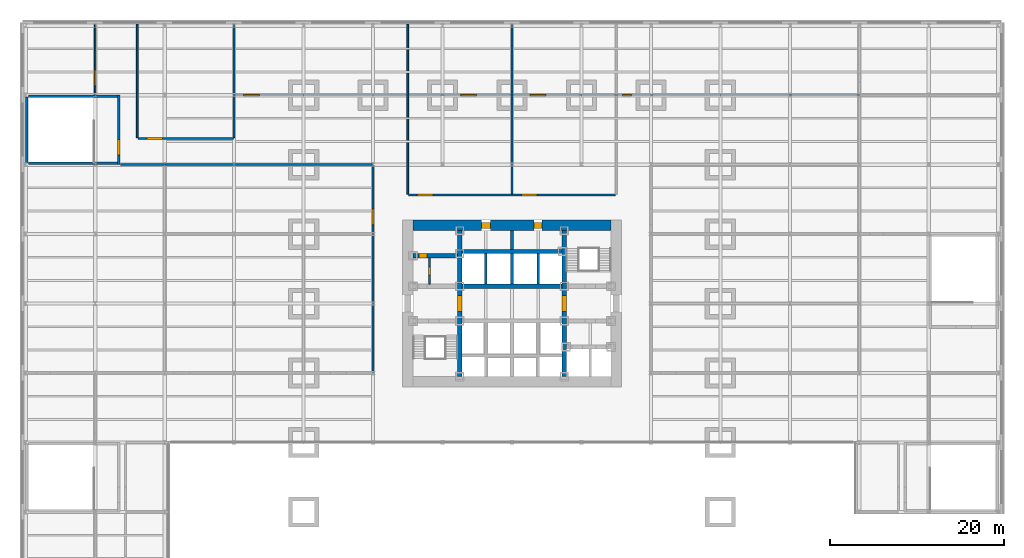
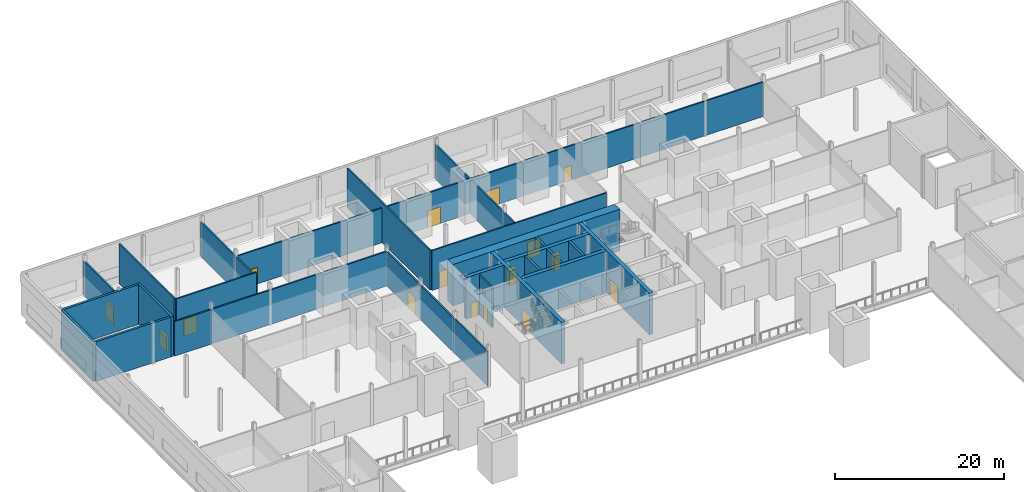
# One storey, part 15 of 21: 26 walls, 16 doors, 16 openings.
"""IFC4 building model written with IfcOpenShell, lengths in metres."""

from ifc_helpers import new_model, si_unit, direction, frame, frame_2d, origin, place, context, subcontext, project, spatial, rectangle, extrude, material, layer, layer_set, type_object, element, fill, save


model = new_model("IFC4")

# Units and contexts
model_context = context("Model", 3, precision=1e-05, world=origin(), true_north=direction((0.0, 1.0)))
body_context = subcontext(model_context, "Body", "Model", "MODEL_VIEW")
ifc_project = project(units=[si_unit("LENGTHUNIT", "METRE"), si_unit("AREAUNIT", "SQUARE_METRE"), si_unit("VOLUMEUNIT", "CUBIC_METRE"), si_unit("PLANEANGLEUNIT", "RADIAN"), si_unit("MASSUNIT", "GRAM", prefix="KILO")], contexts=[model_context])

# Site, building, storey
site_placement = place(None, origin())
site = spatial("IfcSite", under=ifc_project, at=site_placement, CompositionType="ELEMENT")
building_placement = place(site_placement, origin())
building = spatial("IfcBuilding", under=site, at=building_placement, Name="Daluyong Arena Tower", CompositionType="ELEMENT")
storey_placement = place(building_placement, frame((0.0, 0.0, 19.89990234375)))
storey = spatial("IfcBuildingStorey", under=building, at=storey_placement, Name="L04", CompositionType="ELEMENT", Elevation=19.89990234375)

# Wall, opening, door
ifc_material_1 = material(Name="Concrete fc' 45 MPa", Category="concrete")
ifc_layer_1 = layer(ifc_material_1, 0.5)
ifc_layer_set_1 = layer_set([ifc_layer_1], Name="Concrete fc' 45 MPa")
wall_type_1 = type_object("IfcWallType", Name="Core inner wall 500", PredefinedType="SHEAR", material=ifc_layer_set_1)
wall_1_placement = place(storey_placement, frame((50.0, 71.60009765625, 0.0), z_axis=(0.0, 0.0, 1.0), x_axis=(0.0, 1.0, 0.0)))
wall_1 = element("IfcWall", 1, at=wall_1_placement, inside=storey, type_object=wall_type_1, Name="core inner wall at L04", PredefinedType="SHEAR", context=body_context, shape_type="SweptSolid", body=[
    extrude(rectangle(XDim=16.7998046875, YDim=0.5, at=frame_2d((8.39990234375, 0.0))), origin(), (0.0, 0.0, 1.0), 6.0),
])
opening_1_placement = place(wall_1_placement, frame((7.5, 0.0, 0.0)))
opening_1 = element("IfcOpeningElement", 2, at=opening_1_placement, cuts=wall_1, Name="Opening 04010", PredefinedType="OPENING", context=body_context, shape_type="SweptSolid", body=[
    extrude(rectangle(XDim=1.800048828125, YDim=2.39990234375, at=frame_2d((0.89990234375, 1.199951171875))), frame((0.0, 0.260009765625, 0.0), z_axis=(0.0, -1.0, 0.0), x_axis=(1.0, 0.0, 0.0)), (0.0, 0.0, 1.0), 0.52001953125),
])
ifc_material_2 = material(Name="Steel door, fire rated", Category="steel")
door_type_1 = type_object("IfcDoorType", Name="Lift lobby opening door 1800", OperationType="DOUBLE_DOOR_SINGLE_SWING", PredefinedType="DOOR", material=ifc_material_2)
door_1_placement = place(opening_1_placement, origin())
door_1 = element("IfcDoor", 3, at=door_1_placement, inside=storey, type_object=door_type_1, Name="lift lobby door west 04010", OperationType="DOUBLE_DOOR_SINGLE_SWING", OverallHeight=2.39990234375, OverallWidth=1.800048828125, PredefinedType="DOOR", context=body_context, shape_type="SweptSolid", body=[
    extrude(rectangle(XDim=1.800048828125, YDim=2.39990234375, at=frame_2d((0.89990234375, 1.199951171875))), frame((0.0, 0.249755859375, 0.0), z_axis=(0.0, -1.0, 0.0), x_axis=(1.0, 0.0, 0.0)), (0.0, 0.0, 1.0), 0.49951171875),
])
fill(opening_1, door_1)

wall_2_placement = place(storey_placement, frame((62.0, 71.60009765625, 0.0), z_axis=(0.0, 0.0, 1.0), x_axis=(0.0, 1.0, 0.0)))
wall_2 = element("IfcWall", 4, at=wall_2_placement, inside=storey, type_object=wall_type_1, Name="core inner wall at L04", PredefinedType="SHEAR", context=body_context, shape_type="SweptSolid", body=[
    extrude(rectangle(XDim=16.7998046875, YDim=0.5, at=frame_2d((8.39990234375, 0.0))), origin(), (0.0, 0.0, 1.0), 6.0),
])
opening_2_placement = place(wall_2_placement, frame((7.5, 0.0, 0.0)))
opening_2 = element("IfcOpeningElement", 5, at=opening_2_placement, cuts=wall_2, Name="Opening 04011", PredefinedType="OPENING", context=body_context, shape_type="SweptSolid", body=[
    extrude(rectangle(XDim=1.800048828125, YDim=2.39990234375, at=frame_2d((0.89990234375, 1.199951171875))), frame((0.0, 0.260009765625, 0.0), z_axis=(0.0, -1.0, 0.0), x_axis=(1.0, 0.0, 0.0)), (0.0, 0.0, 1.0), 0.52001953125),
])
door_2_placement = place(opening_2_placement, origin())
door_2 = element("IfcDoor", 6, at=door_2_placement, inside=storey, type_object=door_type_1, Name="lift lobby door east 04011", OperationType="DOUBLE_DOOR_SINGLE_SWING", OverallHeight=2.39990234375, OverallWidth=1.800048828125, PredefinedType="DOOR", context=body_context, shape_type="SweptSolid", body=[
    extrude(rectangle(XDim=1.800048828125, YDim=2.39990234375, at=frame_2d((0.89990234375, 1.199951171875))), frame((0.0, 0.249755859375, 0.0), z_axis=(0.0, -1.0, 0.0), x_axis=(1.0, 0.0, 0.0)), (0.0, 0.0, 1.0), 0.49951171875),
])
fill(opening_2, door_2)

wall_3_placement = place(storey_placement, frame((44.60009765625, 85.5, 0.0), z_axis=(0.0, 0.0, 1.0), x_axis=(1.0, 0.0, 0.0)))
wall_3 = element("IfcWall", 7, at=wall_3_placement, inside=storey, type_object=wall_type_1, Name="core inner wall at L04", PredefinedType="SHEAR", context=body_context, shape_type="SweptSolid", body=[
    extrude(rectangle(XDim=5.14990234375, YDim=0.5, at=frame_2d((2.574951171875, 0.0))), origin(), (0.0, 0.0, 1.0), 6.0),
])
opening_3_placement = place(wall_3_placement, frame((0.699951171875, 0.0, 0.0)))
opening_3 = element("IfcOpeningElement", 8, at=opening_3_placement, cuts=wall_3, Name="Opening 04003", PredefinedType="OPENING", context=body_context, shape_type="SweptSolid", body=[
    extrude(rectangle(XDim=0.89990234375, YDim=2.10009765625, at=frame_2d((0.449951171875, 1.050048828125))), frame((0.0, 0.260009765625, 0.0), z_axis=(0.0, -1.0, 0.0), x_axis=(1.0, 0.0, 0.0)), (0.0, 0.0, 1.0), 0.52001953125),
])
ifc_material_3 = material(Name="Timber door", Category="wood")
door_type_2 = type_object("IfcDoorType", Name="Toilet door 900", OperationType="SINGLE_SWING_RIGHT", PredefinedType="DOOR", material=ifc_material_3)
door_3_placement = place(opening_3_placement, origin())
door_3 = element("IfcDoor", 9, at=door_3_placement, inside=storey, type_object=door_type_2, Name="female toilet door 04003", OperationType="SINGLE_SWING_RIGHT", OverallHeight=2.10009765625, OverallWidth=0.89990234375, PredefinedType="DOOR", context=body_context, shape_type="SweptSolid", body=[
    extrude(rectangle(XDim=0.89990234375, YDim=2.10009765625, at=frame_2d((0.449951171875, 1.050048828125))), frame((0.0, 0.249755859375, 0.0), z_axis=(0.0, -1.0, 0.0), x_axis=(1.0, 0.0, 0.0)), (0.0, 0.0, 1.0), 0.49951171875),
])
fill(opening_3, door_3)

# Walls
for number, where, z_axis, x_axis, name in (
    (10, (50.25, 82.0, 0.0), (0.0, 0.0, 1.0), (1.0, 0.0, 0.0), "core inner wall at L04"),
    (11, (50.25, 86.0, 0.0), (0.0, 0.0, 1.0), (1.0, 0.0, 0.0), "core inner wall at L04"),
):
    element("IfcWall", number, at=place(storey_placement, frame(where, z_axis=z_axis, x_axis=x_axis)), inside=storey, type_object=wall_type_1, Name=name, PredefinedType="SHEAR", context=body_context, shape_type="SweptSolid", body=[
        extrude(rectangle(XDim=11.5, YDim=0.5, at=frame_2d((5.75, 0.0))), origin(), (0.0, 0.0, 1.0), 6.0),
    ])

# Wall, openings, doors
ifc_material_4 = material(Name="Concrete fc' 60 MPa", Category="concrete")
ifc_layer_2 = layer(ifc_material_4, 1.199951171875)
ifc_layer_set_2 = layer_set([ifc_layer_2], Name="Concrete fc' 60 MPa")
wall_type_2 = type_object("IfcWallType", Name="Core wall 1200", PredefinedType="SHEAR", material=ifc_layer_set_2)
wall_4_placement = place(storey_placement, frame((44.60009765625, 89.0, 0.0), z_axis=(0.0, 0.0, 1.0), x_axis=(1.0, 0.0, 0.0)))
wall_4 = element("IfcWall", 12, at=wall_4_placement, inside=storey, type_object=wall_type_2, Name="core wall at L04", PredefinedType="SHEAR", context=body_context, shape_type="SweptSolid", body=[
    extrude(rectangle(XDim=22.7998046875, YDim=1.199951171875, at=frame_2d((11.39990234375, 0.0))), origin(), (0.0, 0.0, 1.0), 6.0),
])
opening_4_placement = place(wall_4_placement, frame((7.89990234375, 0.0, 0.0)))
opening_4 = element("IfcOpeningElement", 13, at=opening_4_placement, cuts=wall_4, Name="Opening 04004", PredefinedType="OPENING", context=body_context, shape_type="SweptSolid", body=[
    extrude(rectangle(XDim=1.0, YDim=2.10009765625, at=frame_2d((0.5, 1.050048828125))), frame((0.0, 0.60986328125, 0.0), z_axis=(0.0, -1.0, 0.0), x_axis=(1.0, 0.0, 0.0)), (0.0, 0.0, 1.0), 1.219970703125),
])
opening_5_placement = place(wall_4_placement, frame((13.949951171875, 0.0, 0.0)))
opening_5 = element("IfcOpeningElement", 14, at=opening_5_placement, cuts=wall_4, Name="Opening 04005", PredefinedType="OPENING", context=body_context, shape_type="SweptSolid", body=[
    extrude(rectangle(XDim=0.89990234375, YDim=2.10009765625, at=frame_2d((0.449951171875, 1.050048828125))), frame((0.0, 0.60986328125, 0.0), z_axis=(0.0, -1.0, 0.0), x_axis=(1.0, 0.0, 0.0)), (0.0, 0.0, 1.0), 1.219970703125),
])
ifc_material_5 = material(Name="Timber door", Category="wood")
door_type_3 = type_object("IfcDoorType", Name="Accessible toilet door 1000", OperationType="SINGLE_SWING_LEFT", PredefinedType="DOOR", material=ifc_material_5)
door_4_placement = place(opening_4_placement, origin())
door_4 = element("IfcDoor", 15, at=door_4_placement, inside=storey, type_object=door_type_3, Name="accessible toilet door 04004", OperationType="SINGLE_SWING_LEFT", OverallHeight=2.10009765625, OverallWidth=1.0, PredefinedType="DOOR", context=body_context, shape_type="SweptSolid", body=[
    extrude(rectangle(XDim=1.0, YDim=2.10009765625, at=frame_2d((0.5, 1.050048828125))), frame((0.0, 0.35009765625, 0.0), z_axis=(0.0, -1.0, 0.0), x_axis=(1.0, 0.0, 0.0)), (0.0, 0.0, 1.0), 0.699951171875),
])
fill(opening_4, door_4)
ifc_material_6 = material(Name="Steel door, fire rated", Category="steel")
door_type_4 = type_object("IfcDoorType", Name="Riser door 900", OperationType="SINGLE_SWING_LEFT", PredefinedType="DOOR", material=ifc_material_6)
door_5_placement = place(opening_5_placement, origin())
door_5 = element("IfcDoor", 16, at=door_5_placement, inside=storey, type_object=door_type_4, Name="riser door 04005", OperationType="SINGLE_SWING_LEFT", OverallHeight=2.10009765625, OverallWidth=0.89990234375, PredefinedType="DOOR", context=body_context, shape_type="SweptSolid", body=[
    extrude(rectangle(XDim=0.89990234375, YDim=2.10009765625, at=frame_2d((0.449951171875, 1.050048828125))), frame((0.0, 0.35009765625, 0.0), z_axis=(0.0, -1.0, 0.0), x_axis=(1.0, 0.0, 0.0)), (0.0, 0.0, 1.0), 0.699951171875),
])
fill(opening_5, door_5)

# Wall, opening, door
ifc_material_7 = material(Name="Concrete block partition, fire rated", Category="concrete")
ifc_layer_3 = layer(ifc_material_7, 0.199951171875)
ifc_layer_set_3 = layer_set([ifc_layer_3], Name="Concrete block partition, fire rated")
wall_type_3 = type_object("IfcWallType", Name="Fire-rated partition 200", PredefinedType="PARTITIONING", material=ifc_layer_set_3)
wall_5_placement = place(storey_placement, frame((46.5, 82.25, 0.0), z_axis=(0.0, 0.0, 1.0), x_axis=(0.0, 1.0, 0.0)))
wall_5 = element("IfcWall", 17, at=wall_5_placement, inside=storey, type_object=wall_type_3, Name="toilet lobby partition at L04", PredefinedType="PARTITIONING", context=body_context, shape_type="SweptSolid", body=[
    extrude(rectangle(XDim=3.0, YDim=0.199951171875, at=frame_2d((1.5, 0.0))), origin(), (0.0, 0.0, 1.0), 5.75),
])
opening_6_placement = place(wall_5_placement, frame((1.050048828125, 0.0, 0.0)))
opening_6 = element("IfcOpeningElement", 18, at=opening_6_placement, cuts=wall_5, Name="Opening 04002", PredefinedType="OPENING", context=body_context, shape_type="SweptSolid", body=[
    extrude(rectangle(XDim=0.89990234375, YDim=2.10009765625, at=frame_2d((0.449951171875, 1.050048828125))), frame((0.0, 0.10986328125, 0.0), z_axis=(0.0, -1.0, 0.0), x_axis=(1.0, 0.0, 0.0)), (0.0, 0.0, 1.0), 0.219970703125),
])
door_6_placement = place(opening_6_placement, origin())
door_6 = element("IfcDoor", 19, at=door_6_placement, inside=storey, type_object=door_type_2, Name="male toilet door 04002", OperationType="SINGLE_SWING_RIGHT", OverallHeight=2.10009765625, OverallWidth=0.89990234375, PredefinedType="DOOR", context=body_context, shape_type="SweptSolid", body=[
    extrude(rectangle(XDim=0.89990234375, YDim=2.10009765625, at=frame_2d((0.449951171875, 1.050048828125))), frame((0.0, 0.099609375, 0.0), z_axis=(0.0, -1.0, 0.0), x_axis=(1.0, 0.0, 0.0)), (0.0, 0.0, 1.0), 0.199462890625),
])
fill(opening_6, door_6)

# Walls
wall_6_placement = place(storey_placement, frame((10.949951171875, 96.0, 0.0), z_axis=(0.0, 0.0, 1.0), x_axis=(1.0, 0.0, 0.0)))
element("IfcWall", 20, at=wall_6_placement, inside=storey, type_object=wall_type_3, Name="fire-rated partition at L04", PredefinedType="PARTITIONING", context=body_context, shape_type="SweptSolid", body=[
    extrude(rectangle(XDim=5.050048828125, YDim=0.199951171875, at=frame_2d((2.52490234375, 0.0))), origin(), (0.0, 0.0, 1.0), 4.977783203125),
])
ifc_material_8 = material(Name="Concrete fc' 45 MPa", Category="concrete")
ifc_layer_4 = layer(ifc_material_8, 0.300048828125)
ifc_layer_set_4 = layer_set([ifc_layer_4], Name="Concrete fc' 45 MPa")
wall_type_4 = type_object("IfcWallType", Name="Lift shaft wall 300", PredefinedType="SHEAR", material=ifc_layer_set_4)
for number, where, z_axis, x_axis, name in (
    (21, (53.0, 82.25, 0.0), (0.0, 0.0, 1.0), (0.0, 1.0, 0.0), "lift shaft wall at L04"),
    (22, (56.0, 82.25, 0.0), (0.0, 0.0, 1.0), (0.0, 1.0, 0.0), "lift shaft wall at L04"),
    (23, (59.0, 82.25, 0.0), (0.0, 0.0, 1.0), (0.0, 1.0, 0.0), "lift shaft wall at L04"),
):
    element("IfcWall", number, at=place(storey_placement, frame(where, z_axis=z_axis, x_axis=x_axis)), inside=storey, type_object=wall_type_4, Name=name, PredefinedType="SHEAR", context=body_context, shape_type="SweptSolid", body=[
        extrude(rectangle(XDim=3.5, YDim=0.300048828125, at=frame_2d((1.75, 0.0))), origin(), (0.0, 0.0, 1.0), 6.0),
    ])
wall_7_placement = place(storey_placement, frame((56.0, 86.25, 0.0), z_axis=(0.0, 0.0, 1.0), x_axis=(0.0, 1.0, 0.0)))
element("IfcWall", 24, at=wall_7_placement, inside=storey, type_object=wall_type_4, Name="lift shaft wall at L04", PredefinedType="SHEAR", context=body_context, shape_type="SweptSolid", body=[
    extrude(rectangle(XDim=2.14990234375, YDim=0.300048828125, at=frame_2d((1.074951171875, 0.0))), origin(), (0.0, 0.0, 1.0), 6.0),
])

# Wall, openings, doors
ifc_material_9 = material(Name="Concrete block partition", Category="concrete")
ifc_layer_5 = layer(ifc_material_9, 0.199951171875)
ifc_layer_set_5 = layer_set([ifc_layer_5], Name="Concrete block partition")
wall_type_5 = type_object("IfcWallType", Name="Partition 200", PredefinedType="PARTITIONING", material=ifc_layer_set_5)
wall_8_placement = place(storey_placement, frame((44.10009765625, 92.5, 0.0), z_axis=(0.0, 0.0, 1.0), x_axis=(1.0, 0.0, 0.0)))
wall_8 = element("IfcWall", 25, at=wall_8_placement, inside=storey, type_object=wall_type_5, Name="partition at L04", PredefinedType="PARTITIONING", context=body_context, shape_type="SweptSolid", body=[
    extrude(rectangle(XDim=23.7998046875, YDim=0.199951171875, at=frame_2d((11.89990234375, 0.0))), origin(), (0.0, 0.0, 1.0), 5.75),
])
opening_7_placement = place(wall_8_placement, frame((1.0, 0.0, 0.0)))
opening_7 = element("IfcOpeningElement", 26, at=opening_7_placement, cuts=wall_8, Name="Opening 04067", PredefinedType="OPENING", context=body_context, shape_type="SweptSolid", body=[
    extrude(rectangle(XDim=1.800048828125, YDim=2.39990234375, at=frame_2d((0.89990234375, 1.199951171875))), frame((0.0, 0.10986328125, 0.0), z_axis=(0.0, -1.0, 0.0), x_axis=(1.0, 0.0, 0.0)), (0.0, 0.0, 1.0), 0.219970703125),
])
opening_8_placement = place(wall_8_placement, frame((13.0, 0.0, 0.0)))
opening_8 = element("IfcOpeningElement", 27, at=opening_8_placement, cuts=wall_8, Name="Opening 04069", PredefinedType="OPENING", context=body_context, shape_type="SweptSolid", body=[
    extrude(rectangle(XDim=1.800048828125, YDim=2.39990234375, at=frame_2d((0.89990234375, 1.199951171875))), frame((0.0, 0.10986328125, 0.0), z_axis=(0.0, -1.0, 0.0), x_axis=(1.0, 0.0, 0.0)), (0.0, 0.0, 1.0), 0.219970703125),
])
ifc_material_10 = material(Name="Timber door", Category="wood")
door_type_5 = type_object("IfcDoorType", Name="Assembly double door 1800", OperationType="DOUBLE_DOOR_DOUBLE_SWING", PredefinedType="DOOR", material=ifc_material_10)
door_7_placement = place(opening_7_placement, origin())
door_7 = element("IfcDoor", 28, at=door_7_placement, inside=storey, type_object=door_type_5, Name="club lounge door 04067", OperationType="DOUBLE_DOOR_DOUBLE_SWING", OverallHeight=2.39990234375, OverallWidth=1.800048828125, PredefinedType="DOOR", context=body_context, shape_type="SweptSolid", body=[
    extrude(rectangle(XDim=1.800048828125, YDim=2.39990234375, at=frame_2d((0.89990234375, 1.199951171875))), frame((0.0, 0.099609375, 0.0), z_axis=(0.0, -1.0, 0.0), x_axis=(1.0, 0.0, 0.0)), (0.0, 0.0, 1.0), 0.199462890625),
])
fill(opening_7, door_7)
door_8_placement = place(opening_8_placement, origin())
door_8 = element("IfcDoor", 29, at=door_8_placement, inside=storey, type_object=door_type_5, Name="club bar door 04069", OperationType="DOUBLE_DOOR_DOUBLE_SWING", OverallHeight=2.39990234375, OverallWidth=1.800048828125, PredefinedType="DOOR", context=body_context, shape_type="SweptSolid", body=[
    extrude(rectangle(XDim=1.800048828125, YDim=2.39990234375, at=frame_2d((0.89990234375, 1.199951171875))), frame((0.0, 0.099609375, 0.0), z_axis=(0.0, -1.0, 0.0), x_axis=(1.0, 0.0, 0.0)), (0.0, 0.0, 1.0), 0.199462890625),
])
fill(opening_8, door_8)

# Wall
wall_9_placement = place(storey_placement, frame((16.0, 96.0, 0.0), z_axis=(0.0, 0.0, 1.0), x_axis=(1.0, 0.0, 0.0)))
element("IfcWall", 30, at=wall_9_placement, inside=storey, type_object=wall_type_5, Name="partition at L04", PredefinedType="PARTITIONING", context=body_context, shape_type="SweptSolid", body=[
    extrude(rectangle(XDim=23.89990234375, YDim=0.199951171875, at=frame_2d((11.949951171875, 0.0))), origin(), (0.0, 0.0, 1.0), 4.977783203125),
])

# Wall, opening, door
wall_10_placement = place(storey_placement, frame((12.949951171875, 99.0, 0.0), z_axis=(0.0, 0.0, 1.0), x_axis=(1.0, 0.0, 0.0)))
wall_10 = element("IfcWall", 31, at=wall_10_placement, inside=storey, type_object=wall_type_5, Name="partition at L04", PredefinedType="PARTITIONING", context=body_context, shape_type="SweptSolid", body=[
    extrude(rectangle(XDim=10.949951171875, YDim=0.199951171875, at=frame_2d((5.47509765625, 0.0))), origin(), (0.0, 0.0, 1.0), 5.75),
])
opening_9_placement = place(wall_10_placement, frame((1.0, 0.0, 0.0)))
opening_9 = element("IfcOpeningElement", 32, at=opening_9_placement, cuts=wall_10, Name="Opening 04064", PredefinedType="OPENING", context=body_context, shape_type="SweptSolid", body=[
    extrude(rectangle(XDim=1.800048828125, YDim=2.39990234375, at=frame_2d((0.89990234375, 1.199951171875))), frame((0.0, 0.10986328125, 0.0), z_axis=(0.0, -1.0, 0.0), x_axis=(1.0, 0.0, 0.0)), (0.0, 0.0, 1.0), 0.219970703125),
])
door_9_placement = place(opening_9_placement, origin())
door_9 = element("IfcDoor", 33, at=door_9_placement, inside=storey, type_object=door_type_5, Name="party suite door 04064", OperationType="DOUBLE_DOOR_DOUBLE_SWING", OverallHeight=2.39990234375, OverallWidth=1.800048828125, PredefinedType="DOOR", context=body_context, shape_type="SweptSolid", body=[
    extrude(rectangle(XDim=1.800048828125, YDim=2.39990234375, at=frame_2d((0.89990234375, 1.199951171875))), frame((0.0, 0.099609375, 0.0), z_axis=(0.0, -1.0, 0.0), x_axis=(1.0, 0.0, 0.0)), (0.0, 0.0, 1.0), 0.199462890625),
])
fill(opening_9, door_9)

# Wall, openings, doors
wall_11_placement = place(storey_placement, frame((24.10009765625, 104.0, 0.0), z_axis=(0.0, 0.0, 1.0), x_axis=(1.0, 0.0, 0.0)))
wall_11 = element("IfcWall", 34, at=wall_11_placement, inside=storey, type_object=wall_type_5, Name="partition at L04", PredefinedType="PARTITIONING", context=body_context, shape_type="SweptSolid", body=[
    extrude(rectangle(XDim=71.89990234375, YDim=0.199951171875, at=frame_2d((35.949951171875, 0.0))), origin(), (0.0, 0.0, 1.0), 4.977783203125),
])
opening_10_placement = place(wall_11_placement, frame((1.0, 0.0, 0.0)))
opening_10 = element("IfcOpeningElement", 35, at=opening_10_placement, cuts=wall_11, Name="Opening 04066", PredefinedType="OPENING", context=body_context, shape_type="SweptSolid", body=[
    extrude(rectangle(XDim=1.800048828125, YDim=2.39990234375, at=frame_2d((0.89990234375, 1.199951171875))), frame((0.0, 0.10986328125, 0.0), z_axis=(0.0, -1.0, 0.0), x_axis=(1.0, 0.0, 0.0)), (0.0, 0.0, 1.0), 0.219970703125),
])
opening_11_placement = place(wall_11_placement, frame((26.0, 0.0, 0.0)))
opening_11 = element("IfcOpeningElement", 36, at=opening_11_placement, cuts=wall_11, Name="Opening 04068", PredefinedType="OPENING", context=body_context, shape_type="SweptSolid", body=[
    extrude(rectangle(XDim=1.800048828125, YDim=2.39990234375, at=frame_2d((0.89990234375, 1.199951171875))), frame((0.0, 0.10986328125, 0.0), z_axis=(0.0, -1.0, 0.0), x_axis=(1.0, 0.0, 0.0)), (0.0, 0.0, 1.0), 0.219970703125),
])
opening_12_placement = place(wall_11_placement, frame((34.0, 0.0, 0.0)))
opening_12 = element("IfcOpeningElement", 37, at=opening_12_placement, cuts=wall_11, Name="Opening 04070", PredefinedType="OPENING", context=body_context, shape_type="SweptSolid", body=[
    extrude(rectangle(XDim=1.800048828125, YDim=2.39990234375, at=frame_2d((0.89990234375, 1.199951171875))), frame((0.0, 0.10986328125, 0.0), z_axis=(0.0, -1.0, 0.0), x_axis=(1.0, 0.0, 0.0)), (0.0, 0.0, 1.0), 0.219970703125),
])
opening_13_placement = place(wall_11_placement, frame((44.64990234375, 0.0, 0.0)))
opening_13 = element("IfcOpeningElement", 38, at=opening_13_placement, cuts=wall_11, Name="Opening 04071", PredefinedType="OPENING", context=body_context, shape_type="SweptSolid", body=[
    extrude(rectangle(XDim=1.0, YDim=2.10009765625, at=frame_2d((0.5, 1.050048828125))), frame((0.0, 0.10986328125, 0.0), z_axis=(0.0, -1.0, 0.0), x_axis=(1.0, 0.0, 0.0)), (0.0, 0.0, 1.0), 0.219970703125),
])
door_10_placement = place(opening_10_placement, origin())
door_10 = element("IfcDoor", 39, at=door_10_placement, inside=storey, type_object=door_type_5, Name="party suite door 04066", OperationType="DOUBLE_DOOR_DOUBLE_SWING", OverallHeight=2.39990234375, OverallWidth=1.800048828125, PredefinedType="DOOR", context=body_context, shape_type="SweptSolid", body=[
    extrude(rectangle(XDim=1.800048828125, YDim=2.39990234375, at=frame_2d((0.89990234375, 1.199951171875))), frame((0.0, 0.099609375, 0.0), z_axis=(0.0, -1.0, 0.0), x_axis=(1.0, 0.0, 0.0)), (0.0, 0.0, 1.0), 0.199462890625),
])
fill(opening_10, door_10)
door_11_placement = place(opening_11_placement, origin())
door_11 = element("IfcDoor", 40, at=door_11_placement, inside=storey, type_object=door_type_5, Name="club lounge door 04068", OperationType="DOUBLE_DOOR_DOUBLE_SWING", OverallHeight=2.39990234375, OverallWidth=1.800048828125, PredefinedType="DOOR", context=body_context, shape_type="SweptSolid", body=[
    extrude(rectangle(XDim=1.800048828125, YDim=2.39990234375, at=frame_2d((0.89990234375, 1.199951171875))), frame((0.0, 0.099609375, 0.0), z_axis=(0.0, -1.0, 0.0), x_axis=(1.0, 0.0, 0.0)), (0.0, 0.0, 1.0), 0.199462890625),
])
fill(opening_11, door_11)
door_12_placement = place(opening_12_placement, origin())
door_12 = element("IfcDoor", 41, at=door_12_placement, inside=storey, type_object=door_type_5, Name="club bar door 04070", OperationType="DOUBLE_DOOR_DOUBLE_SWING", OverallHeight=2.39990234375, OverallWidth=1.800048828125, PredefinedType="DOOR", context=body_context, shape_type="SweptSolid", body=[
    extrude(rectangle(XDim=1.800048828125, YDim=2.39990234375, at=frame_2d((0.89990234375, 1.199951171875))), frame((0.0, 0.099609375, 0.0), z_axis=(0.0, -1.0, 0.0), x_axis=(1.0, 0.0, 0.0)), (0.0, 0.0, 1.0), 0.199462890625),
])
fill(opening_12, door_12)
ifc_material_11 = material(Name="Timber door", Category="wood")
door_type_6 = type_object("IfcDoorType", Name="Room door 1000", OperationType="SINGLE_SWING_LEFT", PredefinedType="DOOR", material=ifc_material_11)
door_13_placement = place(opening_13_placement, origin())
door_13 = element("IfcDoor", 42, at=door_13_placement, inside=storey, type_object=door_type_6, Name="catering kitchen door 04071", OperationType="SINGLE_SWING_LEFT", OverallHeight=2.10009765625, OverallWidth=1.0, PredefinedType="DOOR", context=body_context, shape_type="SweptSolid", body=[
    extrude(rectangle(XDim=1.0, YDim=2.10009765625, at=frame_2d((0.5, 1.050048828125))), frame((0.0, 0.099609375, 0.0), z_axis=(0.0, -1.0, 0.0), x_axis=(1.0, 0.0, 0.0)), (0.0, 0.0, 1.0), 0.199462890625),
])
fill(opening_13, door_13)

# Wall, opening, door
wall_12_placement = place(storey_placement, frame((8.0, 104.10009765625, 0.0), z_axis=(0.0, 0.0, 1.0), x_axis=(0.0, 1.0, 0.0)))
wall_12 = element("IfcWall", 43, at=wall_12_placement, inside=storey, type_object=wall_type_5, Name="partition at L04", PredefinedType="PARTITIONING", context=body_context, shape_type="SweptSolid", body=[
    extrude(rectangle(XDim=8.0498046875, YDim=0.199951171875, at=frame_2d((4.02490234375, 0.0))), origin(), (0.0, 0.0, 1.0), 4.977783203125),
])
opening_14_placement = place(wall_12_placement, frame((1.0, 0.0, 0.0)))
opening_14 = element("IfcOpeningElement", 44, at=opening_14_placement, cuts=wall_12, Name="Opening 04065", PredefinedType="OPENING", context=body_context, shape_type="SweptSolid", body=[
    extrude(rectangle(XDim=1.800048828125, YDim=2.39990234375, at=frame_2d((0.89990234375, 1.199951171875))), frame((0.0, 0.10986328125, 0.0), z_axis=(0.0, -1.0, 0.0), x_axis=(1.0, 0.0, 0.0)), (0.0, 0.0, 1.0), 0.219970703125),
])
door_14_placement = place(opening_14_placement, origin())
door_14 = element("IfcDoor", 45, at=door_14_placement, inside=storey, type_object=door_type_5, Name="club lounge door 04065", OperationType="DOUBLE_DOOR_DOUBLE_SWING", OverallHeight=2.39990234375, OverallWidth=1.800048828125, PredefinedType="DOOR", context=body_context, shape_type="SweptSolid", body=[
    extrude(rectangle(XDim=1.800048828125, YDim=2.39990234375, at=frame_2d((0.89990234375, 1.199951171875))), frame((0.0, 0.099609375, 0.0), z_axis=(0.0, -1.0, 0.0), x_axis=(1.0, 0.0, 0.0)), (0.0, 0.0, 1.0), 0.199462890625),
])
fill(opening_14, door_14)

# Walls
wall_13_placement = place(storey_placement, frame((12.85009765625, 99.10009765625, 0.0), z_axis=(0.0, 0.0, 1.0), x_axis=(0.0, 1.0, 0.0)))
element("IfcWall", 46, at=wall_13_placement, inside=storey, type_object=wall_type_5, Name="partition at L04", PredefinedType="PARTITIONING", context=body_context, shape_type="SweptSolid", body=[
    extrude(rectangle(XDim=13.0498046875, YDim=0.199951171875, at=frame_2d((6.52490234375, 0.0))), origin(), (0.0, 0.0, 1.0), 5.75),
])
wall_14_placement = place(storey_placement, frame((24.0, 99.10009765625, 0.0), z_axis=(0.0, 0.0, 1.0), x_axis=(0.0, 1.0, 0.0)))
element("IfcWall", 47, at=wall_14_placement, inside=storey, type_object=wall_type_5, Name="partition at L04", PredefinedType="PARTITIONING", context=body_context, shape_type="SweptSolid", body=[
    extrude(rectangle(XDim=13.0498046875, YDim=0.199951171875, at=frame_2d((6.52490234375, 0.0))), origin(), (0.0, 0.0, 1.0), 4.977783203125),
])

# Wall, opening, door
wall_15_placement = place(storey_placement, frame((40.0, 72.10009765625, 0.0), z_axis=(0.0, 0.0, 1.0), x_axis=(0.0, 1.0, 0.0)))
wall_15 = element("IfcWall", 48, at=wall_15_placement, inside=storey, type_object=wall_type_5, Name="partition at L04", PredefinedType="PARTITIONING", context=body_context, shape_type="SweptSolid", body=[
    extrude(rectangle(XDim=23.7998046875, YDim=0.199951171875, at=frame_2d((11.89990234375, 0.0))), origin(), (0.0, 0.0, 1.0), 4.977783203125),
])
opening_15_placement = place(wall_15_placement, frame((17.0, 0.0, 0.0)))
opening_15 = element("IfcOpeningElement", 49, at=opening_15_placement, cuts=wall_15, Name="Opening 04063", PredefinedType="OPENING", context=body_context, shape_type="SweptSolid", body=[
    extrude(rectangle(XDim=1.800048828125, YDim=2.39990234375, at=frame_2d((0.89990234375, 1.199951171875))), frame((0.0, 0.10986328125, 0.0), z_axis=(0.0, -1.0, 0.0), x_axis=(1.0, 0.0, 0.0)), (0.0, 0.0, 1.0), 0.219970703125),
])
door_15_placement = place(opening_15_placement, origin())
door_15 = element("IfcDoor", 50, at=door_15_placement, inside=storey, type_object=door_type_5, Name="club bar door 04063", OperationType="DOUBLE_DOOR_DOUBLE_SWING", OverallHeight=2.39990234375, OverallWidth=1.800048828125, PredefinedType="DOOR", context=body_context, shape_type="SweptSolid", body=[
    extrude(rectangle(XDim=1.800048828125, YDim=2.39990234375, at=frame_2d((0.89990234375, 1.199951171875))), frame((0.0, 0.099609375, 0.0), z_axis=(0.0, -1.0, 0.0), x_axis=(1.0, 0.0, 0.0)), (0.0, 0.0, 1.0), 0.199462890625),
])
fill(opening_15, door_15)

# Walls
wall_16_placement = place(storey_placement, frame((44.0, 92.60009765625, 0.0), z_axis=(0.0, 0.0, 1.0), x_axis=(0.0, 1.0, 0.0)))
element("IfcWall", 51, at=wall_16_placement, inside=storey, type_object=wall_type_5, Name="partition at L04", PredefinedType="PARTITIONING", context=body_context, shape_type="SweptSolid", body=[
    extrude(rectangle(XDim=19.5498046875, YDim=0.199951171875, at=frame_2d((9.77490234375, 0.0))), origin(), (0.0, 0.0, 1.0), 5.75),
])
wall_17_placement = place(storey_placement, frame((56.0, 92.60009765625, 0.0), z_axis=(0.0, 0.0, 1.0), x_axis=(0.0, 1.0, 0.0)))
element("IfcWall", 52, at=wall_17_placement, inside=storey, type_object=wall_type_5, Name="partition at L04", PredefinedType="PARTITIONING", context=body_context, shape_type="SweptSolid", body=[
    extrude(rectangle(XDim=19.5498046875, YDim=0.199951171875, at=frame_2d((9.77490234375, 0.0))), origin(), (0.0, 0.0, 1.0), 4.977783203125),
])
ifc_material_12 = material(Name="Concrete fc' 35 MPa", Category="concrete")
ifc_layer_6 = layer(ifc_material_12, 0.300048828125)
ifc_layer_set_6 = layer_set([ifc_layer_6], Name="Concrete fc' 35 MPa")
wall_type_6 = type_object("IfcWallType", Name="Stair enclosure wall 300", PredefinedType="SOLIDWALL", material=ifc_layer_set_6)
wall_18_placement = place(storey_placement, frame((0.14990234375, 96.193115234375, 0.0), z_axis=(0.0, 0.0, 1.0), x_axis=(0.0, 1.0, 0.0)))
element("IfcWall", 53, at=wall_18_placement, inside=storey, type_object=wall_type_6, Name="exit stair PS5 enclosure", PredefinedType="SOLIDWALL", context=body_context, shape_type="SweptSolid", body=[
    extrude(rectangle(XDim=7.61376953125, YDim=0.300048828125, at=frame_2d((3.806884765625, 0.0))), origin(), (0.0, 0.0, 1.0), 5.75),
])

# Wall, opening, door
wall_19_placement = place(storey_placement, frame((10.699951171875, 96.0, 0.0), z_axis=(0.0, 0.0, 1.0), x_axis=(0.0, 1.0, 0.0)))
wall_19 = element("IfcWall", 54, at=wall_19_placement, inside=storey, type_object=wall_type_6, Name="exit stair PS5 enclosure", PredefinedType="SOLIDWALL", context=body_context, shape_type="SweptSolid", body=[
    extrude(rectangle(XDim=8.0, YDim=0.300048828125, at=frame_2d((4.0, 0.0))), origin(), (0.0, 0.0, 1.0), 5.75),
])
opening_16_placement = place(wall_19_placement, frame((1.10009765625, 0.0, 0.0)))
opening_16 = element("IfcOpeningElement", 55, at=opening_16_placement, cuts=wall_19, Name="Opening 04019", PredefinedType="OPENING", context=body_context, shape_type="SweptSolid", body=[
    extrude(rectangle(XDim=1.800048828125, YDim=2.10009765625, at=frame_2d((0.89990234375, 1.050048828125))), frame((0.0, 0.159912109375, 0.0), z_axis=(0.0, -1.0, 0.0), x_axis=(1.0, 0.0, 0.0)), (0.0, 0.0, 1.0), 0.320068359375),
])
ifc_material_13 = material(Name="Steel door, fire rated", Category="steel")
door_type_7 = type_object("IfcDoorType", Name="Exit stair double door 1800", OperationType="DOUBLE_DOOR_SINGLE_SWING", PredefinedType="DOOR", material=ifc_material_13)
door_16_placement = place(opening_16_placement, origin())
door_16 = element("IfcDoor", 56, at=door_16_placement, inside=storey, type_object=door_type_7, Name="exit stair PS5 door 04019", OperationType="DOUBLE_DOOR_SINGLE_SWING", OverallHeight=2.10009765625, OverallWidth=1.800048828125, PredefinedType="DOOR", context=body_context, shape_type="SweptSolid", body=[
    extrude(rectangle(XDim=1.800048828125, YDim=2.10009765625, at=frame_2d((0.89990234375, 1.050048828125))), frame((0.0, 0.14990234375, 0.0), z_axis=(0.0, -1.0, 0.0), x_axis=(1.0, 0.0, 0.0)), (0.0, 0.0, 1.0), 0.299560546875),
])
fill(opening_16, door_16)

# Walls
for number, where, z_axis, x_axis, name in (
    (57, (0.300048828125, 96.14990234375, 0.0), (0.0, 0.0, 1.0), (1.0, 0.0, 0.0), "exit stair PS5 enclosure"),
    (58, (0.300048828125, 103.85009765625, 0.0), (0.0, 0.0, 1.0), (1.0, 0.0, 0.0), "exit stair PS5 enclosure"),
):
    element("IfcWall", number, at=place(storey_placement, frame(where, z_axis=z_axis, x_axis=x_axis)), inside=storey, type_object=wall_type_6, Name=name, PredefinedType="SOLIDWALL", context=body_context, shape_type="SweptSolid", body=[
        extrude(rectangle(XDim=10.25, YDim=0.300048828125, at=frame_2d((5.125, 0.0))), origin(), (0.0, 0.0, 1.0), 5.75),
    ])

save(model, "model.ifc")
